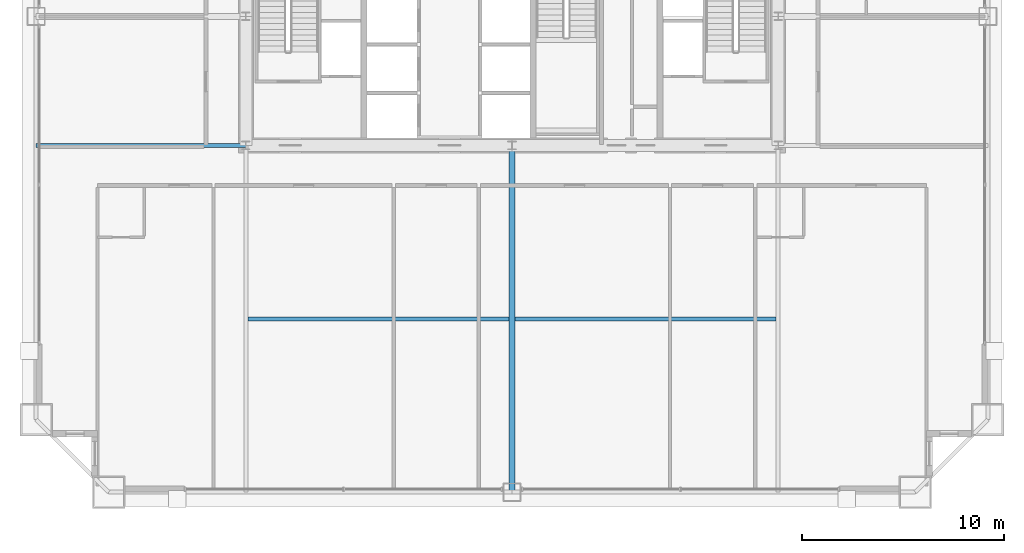
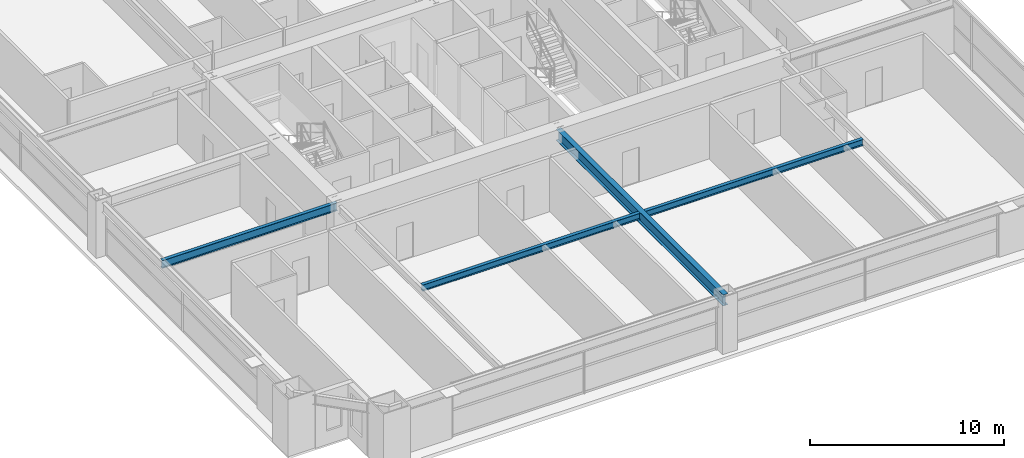
# One storey, part 11 of 39: 4 beams.
"""IFC4 building model written with IfcOpenShell, lengths in metres."""

import ifcopenshell
import ifcopenshell.guid

model = None  # the IFC model being written
_history = None  # IfcOwnerHistory: only IFC2X3 demands one
_inside = {}  # id of a spatial element -> (the spatial element, [elements in it])
_under = {}  # id of a project, library or spatial element -> (it, [spatial elements below it])
_declared = {}  # id of a project -> (the project, [libraries it declares])
_typed = {}  # id of a type object -> (the type object, [elements of that type])
_made_of = {}  # id of a material, layer set ... -> (it, [elements and type objects made of it])


def new_model(schema):
    """Start an empty IFC model of exactly this schema.

    Asked for "IFC4X3", IfcOpenShell would pick the latest addendum, in which some entities
    have other attributes; the version numbers below select the first issue.
    IFC2X3 requires an IfcOwnerHistory on every rooted entity: one is made here for all.
    """
    global model, _history
    if schema == "IFC4X3":
        model = ifcopenshell.file(schema_version=(4, 3, 0, 0))
    else:
        model = ifcopenshell.file(schema=schema)
    _inside.clear()
    _under.clear()
    _declared.clear()
    _typed.clear()
    _made_of.clear()
    _history = None
    if model.schema == "IFC2X3":
        org = make("IfcOrganization", Name="unknown")
        user = make(
            "IfcPersonAndOrganization",
            ThePerson=make("IfcPerson", FamilyName="unknown"),
            TheOrganization=org,
        )
        app = make(
            "IfcApplication",
            ApplicationDeveloper=org,
            Version="unknown",
            ApplicationFullName="unknown",
            ApplicationIdentifier="unknown",
        )
        _history = make(
            "IfcOwnerHistory",
            OwningUser=user,
            OwningApplication=app,
            ChangeAction="ADDED",
            CreationDate=0,
        )
    return model


def make(cls, **values):
    """One entity of the class cls with the attributes given. An attribute that is None is left unset."""
    return model.create_entity(
        cls, **{name: value for name, value in values.items() if value is not None}
    )


def rooted(cls, **values):
    """An entity with a GlobalId (a new one), such as an element, a storey or a relation."""
    return make(cls, GlobalId=ifcopenshell.guid.new(), OwnerHistory=_history, **values)


def si_unit(unit_type, name, prefix=None):
    """IfcSIUnit, for example si_unit("LENGTHUNIT", "METRE", prefix="MILLI")."""
    return make("IfcSIUnit", UnitType=unit_type, Prefix=prefix, Name=name)


def assignment(units):
    """IfcUnitAssignment: the units of a project."""
    return None if units is None else make("IfcUnitAssignment", Units=units)


def point(xyz):
    """IfcCartesianPoint."""
    return None if xyz is None else make("IfcCartesianPoint", Coordinates=xyz)


def direction(xyz):
    """IfcDirection."""
    return None if xyz is None else make("IfcDirection", DirectionRatios=xyz)


def frame(location, z_axis=None, x_axis=None):
    """IfcAxis2Placement3D, a coordinate frame: its origin and axes. An axis left out is left unset."""
    return make(
        "IfcAxis2Placement3D",
        Location=point(location),
        Axis=direction(z_axis),
        RefDirection=direction(x_axis),
    )


def frame_2d(location, x_axis=None):
    """IfcAxis2Placement2D, a coordinate frame in the plane: its origin and x axis."""
    return make(
        "IfcAxis2Placement2D", Location=point(location), RefDirection=direction(x_axis)
    )


def origin():
    """The frame at (0, 0, 0) with its axes left unset."""
    return frame((0.0, 0.0, 0.0))


def origin_2d():
    """The frame at (0, 0) in the plane with its x axis left unset."""
    return frame_2d((0.0, 0.0))


def place(relative_to, where):
    """IfcLocalPlacement: puts the frame where relative to a parent placement (None: the world)."""
    return make(
        "IfcLocalPlacement", PlacementRelTo=relative_to, RelativePlacement=where
    )


def context(
    kind, dimensions, precision=None, world=None, true_north=None, identifier=None
):
    """IfcGeometricRepresentationContext, for example the 3D "Model" context."""
    return make(
        "IfcGeometricRepresentationContext",
        ContextIdentifier=identifier,
        ContextType=kind,
        CoordinateSpaceDimension=dimensions,
        Precision=precision,
        WorldCoordinateSystem=world,
        TrueNorth=true_north,
    )


def subcontext(parent, identifier, kind, view, scale=None):
    """IfcGeometricRepresentationSubContext, for example "Body" below "Model"."""
    return make(
        "IfcGeometricRepresentationSubContext",
        ContextIdentifier=identifier,
        ContextType=kind,
        ParentContext=parent,
        TargetScale=scale,
        TargetView=view,
    )


def project(units=None, contexts=None):
    """IfcProject with its units and contexts."""
    return rooted(
        "IfcProject",
        Name="project",
        RepresentationContexts=contexts,
        UnitsInContext=assignment(units),
    )


def spatial(cls, under=None, at=None, **own):
    """A site, building, storey or space (cls), placed at a placement, below another one or the project."""
    s = rooted(cls, ObjectPlacement=at, **own)
    if under is not None:
        _under.setdefault(under.id(), (under, []))[1].append(s)
    return s


def profile(cls, at=None, kind="AREA", **sizes):
    """A parametric profile (cls). Its sizes go by their IFC names, for example OverallWidth=200.0."""
    return make(cls, ProfileType=kind, Position=at, **sizes)


def i_section(**sizes):
    """IfcIShapeProfileDef."""
    return profile("IfcIShapeProfileDef", **sizes)


def extrude(swept, where, along, depth):
    """IfcExtrudedAreaSolid: the profile swept, set in the frame where, extruded along a direction by depth."""
    return make(
        "IfcExtrudedAreaSolid",
        SweptArea=swept,
        Position=where,
        ExtrudedDirection=direction(along),
        Depth=depth,
    )


def shape(context_of_items, identifier, shape_type, items):
    """IfcShapeRepresentation: the items that make up one representation, for example the "Body"."""
    return make(
        "IfcShapeRepresentation",
        ContextOfItems=context_of_items,
        RepresentationIdentifier=identifier,
        RepresentationType=shape_type,
        Items=items,
    )


def source(mapping_origin, context_of_items, identifier, shape_type, items):
    """IfcRepresentationMap: a shape defined once, which mapped items show again and again."""
    return make(
        "IfcRepresentationMap",
        MappingOrigin=mapping_origin,
        MappedRepresentation=shape(context_of_items, identifier, shape_type, items),
    )


def transform(
    local_origin,
    x_axis=None,
    y_axis=None,
    z_axis=None,
    scale=None,
    scale2=None,
    scale3=None,
    uniform=True,
):
    """IfcCartesianTransformationOperator3D, or its non-uniform kind. x_axis, y_axis, z_axis: its Axis1, 2, 3."""
    if uniform:
        return make(
            "IfcCartesianTransformationOperator3D",
            Axis1=direction(x_axis),
            Axis2=direction(y_axis),
            LocalOrigin=point(local_origin),
            Scale=scale,
            Axis3=direction(z_axis),
        )
    return make(
        "IfcCartesianTransformationOperator3DnonUniform",
        Axis1=direction(x_axis),
        Axis2=direction(y_axis),
        LocalOrigin=point(local_origin),
        Scale=scale,
        Axis3=direction(z_axis),
        Scale2=scale2,
        Scale3=scale3,
    )


def mapped(mapping_source, mapping_target):
    """IfcMappedItem: shows the shape of a source again, moved by a transform."""
    return make(
        "IfcMappedItem", MappingSource=mapping_source, MappingTarget=mapping_target
    )


def material(Name=None, Category=None):
    """IfcMaterial."""
    return make("IfcMaterial", Name=Name, Category=Category)


def material_profile(
    of_material, cross_section, Name=None, Category=None, Priority=None
):
    """IfcMaterialProfile: a cross section and its material."""
    return make(
        "IfcMaterialProfile",
        Name=Name,
        Material=of_material,
        Profile=cross_section,
        Priority=Priority,
        Category=Category,
    )


def profile_set(profiles, Name=None, composite=None):
    """IfcMaterialProfileSet."""
    return make(
        "IfcMaterialProfileSet",
        Name=Name,
        MaterialProfiles=profiles,
        CompositeProfile=composite,
    )


def made_of(thing, what):
    """Note that an element or type object is made of a material, layer set ...; save() writes the relation."""
    if what is not None:
        _made_of.setdefault(what.id(), (what, []))[1].append(thing)
    return thing


def type_object(cls, material=None, **own):
    """A type object (cls), such as IfcWallType, which elements share."""
    return made_of(rooted(cls, **own), material)


def element(
    cls,
    number,
    at=None,
    inside=None,
    cuts=None,
    type_object=None,
    material=None,
    context=None,
    identifier="Body",
    shape_type=None,
    held_by="IfcProductDefinitionShape",
    body=None,
    shapes=None,
    **own,
):
    """One element of the class cls, such as IfcWall. Its Tag is "e" and its number.

    at: its placement. inside: the storey or other place that contains it. cuts: it is an
    opening in that element (IfcRelVoidsElement). A single representation is given by context,
    identifier, shape_type and body (its items); several are given by shapes. held_by: the class
    of the entity that holds the representations. save() writes the other relations.
    """
    e = rooted(cls, Tag="e%d" % number, ObjectPlacement=at, **own)
    if body is not None:
        shapes = [shape(context, identifier, shape_type, body)]
    if shapes is not None:
        e.Representation = make(held_by, Representations=shapes)
    if inside is not None:
        _inside.setdefault(inside.id(), (inside, []))[1].append(e)
    if cuts is not None:
        rooted(
            "IfcRelVoidsElement", RelatingBuildingElement=cuts, RelatedOpeningElement=e
        )
    if type_object is not None:
        _typed.setdefault(type_object.id(), (type_object, []))[1].append(e)
    return made_of(e, material)


def aggregate(whole, parts):
    """IfcRelAggregates: a whole, such as a stair, and the parts it consists of."""
    return rooted("IfcRelAggregates", RelatingObject=whole, RelatedObjects=parts)


def save(model, path):
    """Write the relations noted so far, then the file.

    IfcRelAggregates (storeys below a building ...), IfcRelContainedInSpatialStructure (elements
    in a storey), IfcRelDefinesByType, IfcRelAssociatesMaterial and IfcRelDeclares: one each for
    every whole, place, type object, material and project.
    """
    for whole, parts in _under.values():
        aggregate(whole, parts)
    for where, things in _inside.values():
        rooted(
            "IfcRelContainedInSpatialStructure",
            RelatedElements=things,
            RelatingStructure=where,
        )
    for kind, things in _typed.values():
        rooted("IfcRelDefinesByType", RelatedObjects=things, RelatingType=kind)
    for what, things in _made_of.values():
        rooted("IfcRelAssociatesMaterial", RelatedObjects=things, RelatingMaterial=what)
    for by, libraries in _declared.values():
        rooted("IfcRelDeclares", RelatingContext=by, RelatedDefinitions=libraries)
    model.write(path)


model = new_model("IFC4")

# Units and contexts
model_context = context("Model", 3, precision=1e-05, world=origin(), true_north=direction((0.0, 1.0)))
body_context = subcontext(model_context, "Body", "Model", "MODEL_VIEW")
ifc_project = project(units=[si_unit("LENGTHUNIT", "METRE"), si_unit("AREAUNIT", "SQUARE_METRE"), si_unit("VOLUMEUNIT", "CUBIC_METRE"), si_unit("PLANEANGLEUNIT", "RADIAN"), si_unit("MASSUNIT", "GRAM", prefix="KILO"), si_unit("THERMODYNAMICTEMPERATUREUNIT", "KELVIN"), si_unit("POWERUNIT", "WATT")], contexts=[model_context])

# Site, building, storey
site_placement = place(None, origin())
site = spatial("IfcSite", under=ifc_project, at=site_placement, CompositionType="ELEMENT")
building_placement = place(site_placement, origin())
building = spatial("IfcBuilding", under=site, at=building_placement, Name="Yuzanri Waterfront Tower", CompositionType="ELEMENT")
storey_placement = place(building_placement, frame((0.0, 0.0, 148.800048828125)))
storey = spatial("IfcBuildingStorey", under=building, at=storey_placement, Name="L39", CompositionType="ELEMENT", Elevation=148.800048828125)

# Beams
ifc_material_1 = material(Name="Steel Q355B", Category="steel")
ifc_material_profile_1 = material_profile(ifc_material_1, i_section(OverallWidth=0.199951171875, OverallDepth=0.39990234375, WebThickness=0.008056640625, FlangeThickness=0.012939453125, at=origin_2d()), Name="HN 400x200x8x13")
ifc_profile_set_1 = profile_set([ifc_material_profile_1], Name="Steel Q355B")
beam_type_1 = type_object("IfcBeamType", Name="Floor Joist Q355B HN 400x200", PredefinedType="JOIST", material=ifc_profile_set_1)
shared_shape_1 = source(origin(), body_context, "Body", "SweptSolid", [
    extrude(i_section(OverallWidth=0.199951171875, OverallDepth=0.39990234375, WebThickness=0.008056640625, FlangeThickness=0.012939453125, at=origin_2d()), origin(), (0.0, 0.0, 1.0), 12.9501953125),
])
for number, where, z_axis, x_axis, name in (
    (1, (23.89990234375, 10.800048828125, 3.179931640625), (1.0, 0.0, 0.0), (0.0, 1.0, 0.0), "L39 South Bay Joist W"),
    (2, (37.14990234375, 10.800048828125, 3.179931640625), (1.0, 0.0, 0.0), (0.0, 1.0, 0.0), "L39 South Bay Joist E"),
):
    element("IfcBeam", number, at=place(storey_placement, frame(where, z_axis=z_axis, x_axis=x_axis)), inside=storey, type_object=beam_type_1, Name=name, PredefinedType="JOIST", context=body_context, shape_type="MappedRepresentation", body=[
        mapped(shared_shape_1, transform((0.0, 0.0, 0.0), scale=1.0)),
    ])
ifc_material_2 = material(Name="Steel Q355B", Category="steel")
ifc_material_profile_2 = material_profile(ifc_material_2, i_section(OverallWidth=0.300048828125, OverallDepth=0.699951171875, WebThickness=0.012939453125, FlangeThickness=0.02392578125, at=origin_2d()), Name="HN 700x300x13x24")
ifc_profile_set_2 = profile_set([ifc_material_profile_2], Name="Steel Q355B")
beam_type_2 = type_object("IfcBeamType", Name="Primary Floor Girder Q355B HN 700x300", PredefinedType="BEAM", material=ifc_profile_set_2)
shared_shape_2 = source(origin(), body_context, "Body", "SweptSolid", [
    extrude(i_section(OverallWidth=0.300048828125, OverallDepth=0.699951171875, WebThickness=0.012939453125, FlangeThickness=0.02392578125, at=origin_2d()), origin(), (0.0, 0.0, 1.0), 17.199951171875),
])
beam_1_placement = place(storey_placement, frame((37.0, 19.39990234375, 3.030029296875), z_axis=(0.0, -1.0, 0.0), x_axis=(1.0, 0.0, 0.0)))
element("IfcBeam", 3, at=beam_1_placement, inside=storey, type_object=beam_type_2, Name="L39 South Grid Girder", PredefinedType="BEAM", context=body_context, shape_type="MappedRepresentation", body=[
    mapped(shared_shape_2, transform((0.0, 0.0, 0.0), scale=1.0)),
])
ifc_material_3 = material(Name="Steel Q355B", Category="steel")
ifc_material_profile_3 = material_profile(ifc_material_3, i_section(OverallWidth=0.199951171875, OverallDepth=0.5, WebThickness=0.010009765625, FlangeThickness=0.01611328125, at=origin_2d()), Name="HN 500x200x10x16")
ifc_profile_set_3 = profile_set([ifc_material_profile_3], Name="Steel Q355B")
beam_type_3 = type_object("IfcBeamType", Name="Secondary Floor Beam Q355B HN 500x200", PredefinedType="BEAM", material=ifc_profile_set_3)
shared_shape_3 = source(origin(), body_context, "Body", "SweptSolid", [
    extrude(i_section(OverallWidth=0.199951171875, OverallDepth=0.5, WebThickness=0.010009765625, FlangeThickness=0.01611328125, at=origin_2d()), origin(), (0.0, 0.0, 1.0), 10.400146484375),
])
beam_2_placement = place(storey_placement, frame((23.800048828125, 19.39990234375, 3.1298828125), z_axis=(-1.0, 0.0, 0.0), x_axis=(0.0, -1.0, 0.0)))
element("IfcBeam", 4, at=beam_2_placement, inside=storey, type_object=beam_type_3, Name="L39 West-South Core Line Beam", PredefinedType="BEAM", context=body_context, shape_type="MappedRepresentation", body=[
    mapped(shared_shape_3, transform((0.0, 0.0, 0.0), scale=1.0)),
])

save(model, "model.ifc")
